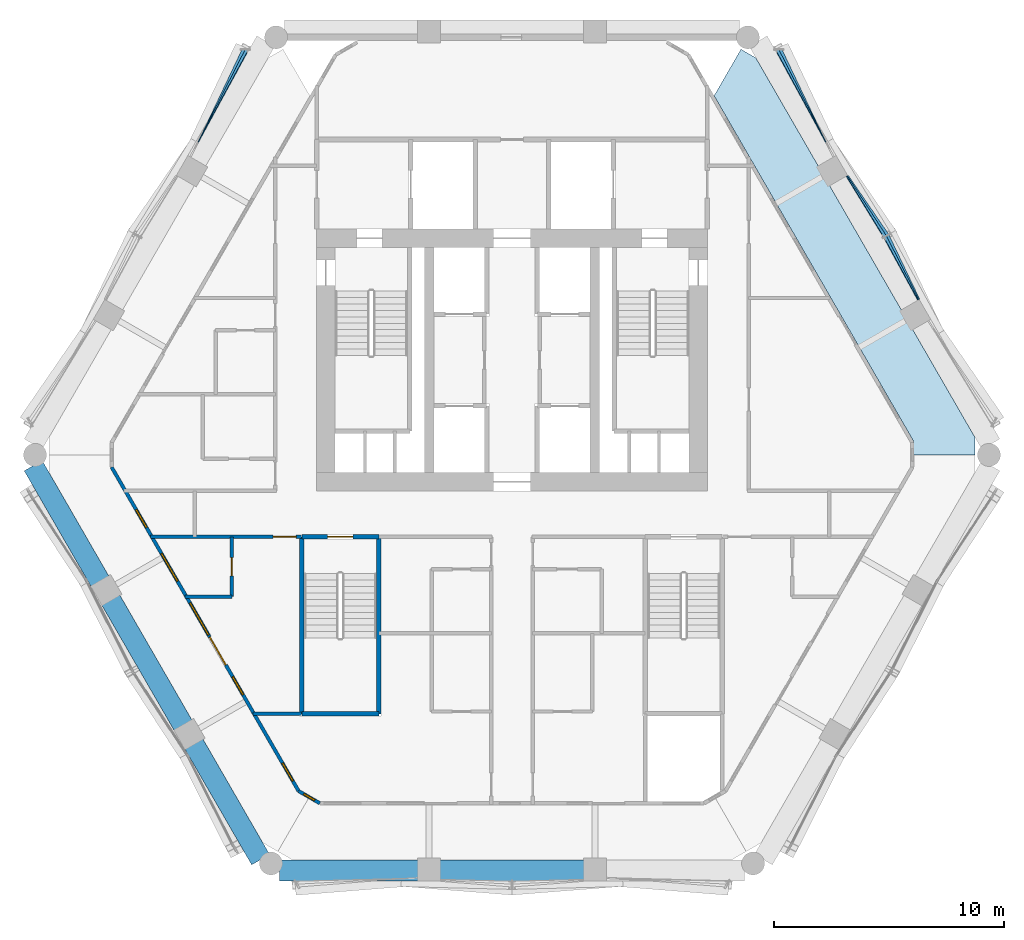
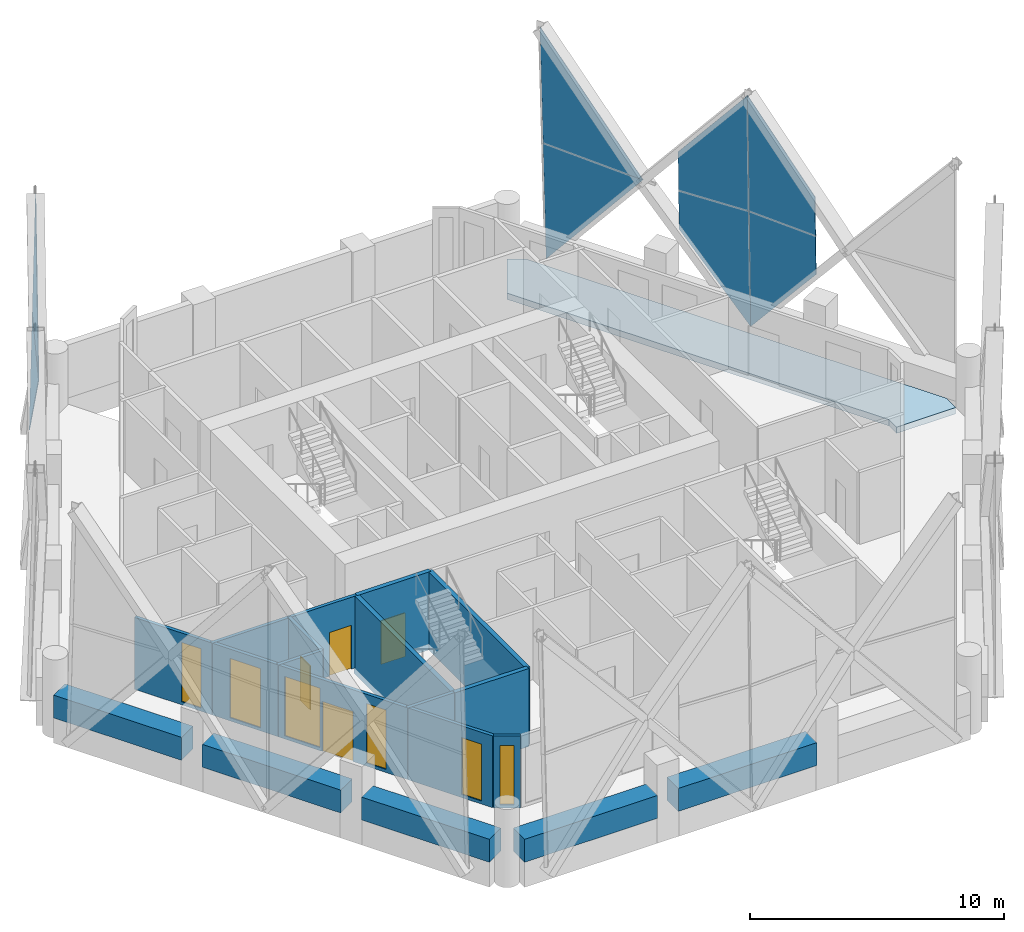
# One storey, part 9 of 19: 15 walls, 8 plates, 6 windows, 4 doors, 1 slab, 10 openings, 6 elements without a shape of their own.
"""IFC4 building model written with IfcOpenShell, lengths in metres."""

from ifc_helpers import new_model, si_unit, direction, frame, frame_2d, origin, place, context, subcontext, project, spatial, polyline, rectangle, outline, extrude, material, layer, layer_set, type_object, element, fill, aggregate, save


model = new_model("IFC4")

# Units and contexts
model_context = context("Model", 3, precision=1e-05, world=origin(), true_north=direction((0.0, 1.0)))
body_context = subcontext(model_context, "Body", "Model", "MODEL_VIEW")
ifc_project = project(units=[si_unit("LENGTHUNIT", "METRE"), si_unit("AREAUNIT", "SQUARE_METRE"), si_unit("VOLUMEUNIT", "CUBIC_METRE"), si_unit("PLANEANGLEUNIT", "RADIAN"), si_unit("MASSUNIT", "GRAM", prefix="KILO")], contexts=[model_context])

# Site, building, storey
site_placement = place(None, origin())
site = spatial("IfcSite", under=ifc_project, at=site_placement, CompositionType="ELEMENT")
building_placement = place(site_placement, origin())
building = spatial("IfcBuilding", under=site, at=building_placement, Name="Ostrander Bayou Hotel Tower", CompositionType="ELEMENT")
storey_placement = place(building_placement, frame((0.0, 0.0, 164.5)))
storey = spatial("IfcBuildingStorey", under=building, at=storey_placement, Name="L40", CompositionType="ELEMENT", Elevation=164.5)

# Curtain wall, plate
ifc_material_1 = material(Name="Aluminium and clear glass", Category="aluminium")
curtain_wall_type = type_object("IfcCurtainWallType", Name="CW-LAT lattice glazing", PredefinedType="NOTDEFINED", material=ifc_material_1)
curtain_wall_1_placement = place(storey_placement, origin())
curtain_wall_1 = element("IfcCurtainWall", 1, at=curtain_wall_1_placement, inside=storey, type_object=curtain_wall_type, Name="CW-LAT L40 NW 3", PredefinedType="NOTDEFINED")
ifc_material_2 = material(Name="Clear laminated glass", Category="glass")
ifc_layer_1 = layer(ifc_material_2, 0.028076171875)
ifc_layer_set_1 = layer_set([ifc_layer_1], Name="CW-LA glazing panel 28 mm")
plate_type = type_object("IfcPlateType", Name="CW-LA glazing panel 28 mm", PredefinedType="CURTAIN_PANEL", material=ifc_layer_set_1)
plate_1_placement = place(storey_placement, frame((-13.743408203125, 13.341552734375, 5.02490234375), z_axis=(-0.890581073407, 0.454269742686, 0.022457795297), x_axis=(0.273067304735, 0.573521791886, -0.772338657143)))
plate_1 = element("IfcPlate", 2, at=plate_1_placement, type_object=plate_type, Name="CW-LAT panel 1", PredefinedType="CURTAIN_PANEL", context=body_context, shape_type="SweptSolid", body=[
    extrude(outline(polyline([(0.0, 0.0), (7.283074526931495, 4.440892098500626e-16), (2.9774030043446946, -3.6224215578919154), (0.0, 0.0)])), origin(), (0.0, 0.0, -1.0), 0.028076171875),
])
aggregate(curtain_wall_1, [plate_1])

curtain_wall_2_placement = place(storey_placement, origin())
curtain_wall_2 = element("IfcCurtainWall", 3, at=curtain_wall_2_placement, inside=storey, type_object=curtain_wall_type, Name="CW-LAT L40 NW 4", PredefinedType="NOTDEFINED")
plate_2_placement = place(storey_placement, frame((-13.743408203125, 13.341552734375, 5.02490234375), z_axis=(-0.890581845835, 0.454270136688, 0.02241916105), x_axis=(0.308493582677, 0.567101827229, 0.763693149767)))
plate_2 = element("IfcPlate", 4, at=plate_2_placement, type_object=plate_type, Name="CW-LAT panel 2", PredefinedType="CURTAIN_PANEL", context=body_context, shape_type="SweptSolid", body=[
    extrude(outline(polyline([(0.0, 0.0), (7.365523707681007, -4.440892098500626e-16), (3.0260665669151905, 3.5818693060968902), (0.0, 0.0)])), origin(), (0.0, 0.0, -1.0), 0.028076171875),
])
aggregate(curtain_wall_2, [plate_2])

curtain_wall_3_placement = place(storey_placement, origin())
curtain_wall_3 = element("IfcCurtainWall", 5, at=curtain_wall_3_placement, inside=storey, type_object=curtain_wall_type, Name="CW-LAT L40 NE 1", PredefinedType="NOTDEFINED")
plate_3_placement = place(storey_placement, frame((17.747802734375, 6.65087890625, 3.140869140625), z_axis=(0.890613909652, 0.454238249989, 0.021782474167), x_axis=(-0.276203891499, 0.578355835303, -0.767604024281)))
plate_3 = element("IfcPlate", 6, at=plate_3_placement, type_object=plate_type, Name="CW-LAT panel 3", PredefinedType="CURTAIN_PANEL", context=body_context, shape_type="SweptSolid", body=[
    extrude(outline(polyline([(0.0, 0.0), (4.873560263757401, -4.440892098500626e-16), (0.5496795652002096, 3.5999603517784244), (-1.4462493261339737, 1.2081550912851868), (0.0, 0.0)])), origin(), (0.0, 0.0, -1.0), 0.028076171875),
])

curtain_wall_4_placement = place(storey_placement, origin())
curtain_wall_4 = element("IfcCurtainWall", 7, at=curtain_wall_4_placement, inside=storey, type_object=curtain_wall_type, Name="CW-LAT L40 NE 2", PredefinedType="NOTDEFINED")
plate_4_placement = place(storey_placement, frame((17.67431640625, 6.614013671875, 6.9150390625), z_axis=(0.89061192161, 0.454242232697, 0.02178070524), x_axis=(-0.305558183284, 0.562247196791, 0.768447972428)))
plate_4 = element("IfcPlate", 8, at=plate_4_placement, type_object=plate_type, Name="CW-LAT panel 4", PredefinedType="CURTAIN_PANEL", context=body_context, shape_type="SweptSolid", body=[
    extrude(outline(polyline([(0.0, 0.0), (4.860268648633587, 0.0), (0.539889546857311, -3.604166094813788), (-1.453092015594815, -1.2094771225736116), (0.0, 0.0)])), origin(), (0.0, 0.0, -1.0), 0.028076171875),
])

curtain_wall_5_placement = place(storey_placement, origin())
curtain_wall_5 = element("IfcCurtainWall", 9, at=curtain_wall_5_placement, inside=storey, type_object=curtain_wall_type, Name="CW-LAT L40 NE 3", PredefinedType="NOTDEFINED")
plate_5_placement = place(storey_placement, frame((14.6337890625, 12.044677734375, 3.140869140625), z_axis=(0.838706203708, 0.544148703108, 0.021773671431), x_axis=(0.362747177959, -0.528393744137, -0.767603111015)))
plate_5 = element("IfcPlate", 10, at=plate_5_placement, type_object=plate_type, Name="CW-LAT panel 5", PredefinedType="CURTAIN_PANEL", context=body_context, shape_type="SweptSolid", body=[
    extrude(outline(polyline([(0.0, 0.0), (4.873567382528961, 4.440892098500626e-16), (0.5496553047883483, -3.5999226632622934), (-1.446244545836942, -1.208158670764173), (0.0, 0.0)])), origin(), (0.0, 0.0, -1.0), 0.028076171875),
])
aggregate(curtain_wall_5, [plate_5])

curtain_wall_6_placement = place(storey_placement, origin())
curtain_wall_6 = element("IfcCurtainWall", 11, at=curtain_wall_6_placement, inside=storey, type_object=curtain_wall_type, Name="CW-LAT L40 NE 4", PredefinedType="NOTDEFINED")
plate_6_placement = place(storey_placement, frame((14.565185546875, 11.99951171875, 6.9150390625), z_axis=(0.838712031431, 0.544140368898, 0.021757464643), x_axis=(0.334157126185, -0.545779028489, 0.768416727486)))
plate_6 = element("IfcPlate", 12, at=plate_6_placement, type_object=plate_type, Name="CW-LAT panel 6", PredefinedType="CURTAIN_PANEL", context=body_context, shape_type="SweptSolid", body=[
    extrude(outline(polyline([(0.0, 0.0), (4.860470513680612, 4.440892098500626e-16), (0.5400360980131278, 3.604099784320524), (-1.453035166259682, 1.2095388296122298), (0.0, 0.0)])), origin(), (0.0, 0.0, -1.0), 0.028076171875),
])
aggregate(curtain_wall_6, [plate_6])

# Plate
plate_7_placement = place(storey_placement, frame((13.743408203125, 13.341552734375, 5.02490234375), z_axis=(0.890581073407, 0.454269742686, 0.022457795297), x_axis=(-0.273067304735, 0.573521791886, -0.772338657143)))
plate_7 = element("IfcPlate", 13, at=plate_7_placement, type_object=plate_type, Name="CW-LAT panel 7", PredefinedType="CURTAIN_PANEL", context=body_context, shape_type="SweptSolid", body=[
    extrude(outline(polyline([(0.0, 0.0), (7.283074526931495, -4.440892098500626e-16), (2.9774030043446946, 3.6224215578919154), (0.0, 0.0)])), origin(), (0.0, 0.0, -1.0), 0.028076171875),
])

aggregate(curtain_wall_3, [plate_3, plate_7])

plate_8_placement = place(storey_placement, frame((13.743408203125, 13.341552734375, 5.02490234375), z_axis=(0.890581845835, 0.454270136688, 0.02241916105), x_axis=(-0.308493582677, 0.567101827229, 0.763693149767)))
plate_8 = element("IfcPlate", 14, at=plate_8_placement, type_object=plate_type, Name="CW-LAT panel 8", PredefinedType="CURTAIN_PANEL", context=body_context, shape_type="SweptSolid", body=[
    extrude(outline(polyline([(0.0, 0.0), (7.365523707681007, 4.440892098500626e-16), (3.0260665669151905, -3.5818693060968902), (0.0, 0.0)])), origin(), (0.0, 0.0, -1.0), 0.028076171875),
])

aggregate(curtain_wall_4, [plate_4, plate_8])

# Slab
ifc_material_3 = material(Name="Concrete f'c 40 MPa", Category="concrete")
ifc_layer_2 = layer(ifc_material_3, 0.300048828125)
ifc_layer_set_2 = layer_set([ifc_layer_2], Name="SL4 loggia slab 300 mm f'c 40 MPa")
slab_type = type_object("IfcSlabType", Name="SL4 loggia slab 300 mm f'c 40 MPa", PredefinedType="FLOOR", material=ifc_layer_set_2)
slab_placement = place(storey_placement, frame((0.0, 0.0, -0.300048828125)))
element("IfcSlab", 15, at=slab_placement, inside=storey, type_object=slab_type, Name="SL4 LOGGIA L40 NE 1", PredefinedType="FLOOR", context=body_context, shape_type="SweptSolid", body=[
    extrude(outline(polyline([(9.966796875, 17.52490234375), (10.616455078125, 17.14990234375), (16.7119140625, 6.59228515625), (16.96240234375, 6.158203125), (17.4326171875, 5.34423828125), (20.160400390625, 0.619140625), (20.160400390625, -0.130859375), (17.475830078125, -0.130859375), (17.475830078125, 0.468994140625), (8.7978515625, 15.5), (9.966796875, 17.52490234375)])), origin(), (0.0, 0.0, 1.0), 0.300048828125),
])

# Wall, openings, door, windows
ifc_material_4 = material(Name="Aluminium framed insulated wall", Category="aluminium")
ifc_layer_3 = layer(ifc_material_4, 0.14990234375)
ifc_layer_set_3 = layer_set([ifc_layer_3], Name="GW1 glass-line wall 150 mm")
wall_type_1 = type_object("IfcWallType", Name="GW1 glass-line wall 150 mm", PredefinedType="SOLIDWALL", material=ifc_layer_set_3)
wall_1_placement = place(storey_placement, frame((-17.42822265625, -0.663330078125, 0.0), z_axis=(0.0, 0.0, 1.0), x_axis=(0.499985985267, -0.866033495043, 0.0)))
wall_1 = element("IfcWall", 16, at=wall_1_placement, inside=storey, type_object=wall_type_1, Name="GW1 L40 SW 1", PredefinedType="SOLIDWALL", context=body_context, shape_type="SweptSolid", body=[
    extrude(rectangle(XDim=16.279296875, YDim=0.14990234375, at=frame_2d((8.1396484375, 0.0))), origin(), (0.0, 0.0, 1.0), 3.449951171875),
])
opening_1_placement = place(wall_1_placement, frame((2.1396484375, 0.0, 0.14990234375)))
opening_1 = element("IfcOpeningElement", 17, at=opening_1_placement, cuts=wall_1, Name="Opening W17", PredefinedType="OPENING", context=body_context, shape_type="SweptSolid", body=[
    extrude(rectangle(XDim=0.89990234375, YDim=2.85009765625, at=frame_2d((0.449951171875, 1.425048828125))), frame((0.0, 0.074951171875, 0.0), z_axis=(0.0, -1.0, 0.0), x_axis=(1.0, 0.0, 0.0)), (0.0, 0.0, 1.0), 0.14990234375),
])
opening_2_placement = place(wall_1_placement, frame((4.339599609375, 0.0, 0.14990234375)))
opening_2 = element("IfcOpeningElement", 18, at=opening_2_placement, cuts=wall_1, Name="Opening W13", PredefinedType="OPENING", context=body_context, shape_type="SweptSolid", body=[
    extrude(rectangle(XDim=1.39990234375, YDim=2.85009765625, at=frame_2d((0.699951171875, 1.425048828125))), frame((0.0, 0.074951171875, 0.0), z_axis=(0.0, -1.0, 0.0), x_axis=(1.0, 0.0, 0.0)), (0.0, 0.0, 1.0), 0.14990234375),
])
opening_3_placement = place(wall_1_placement, frame((6.83251953125, 0.0, 0.14990234375)))
opening_3 = element("IfcOpeningElement", 19, at=opening_3_placement, cuts=wall_1, Name="Opening W3", PredefinedType="OPENING", context=body_context, shape_type="SweptSolid", body=[
    extrude(rectangle(XDim=1.60009765625, YDim=2.85009765625, at=frame_2d((0.800048828125, 1.425048828125))), frame((0.0, 0.074951171875, 0.0), z_axis=(0.0, -1.0, 0.0), x_axis=(1.0, 0.0, 0.0)), (0.0, 0.0, 1.0), 0.14990234375),
])
opening_4_placement = place(wall_1_placement, frame((8.53955078125, 0.0, 0.0)))
opening_4 = element("IfcOpeningElement", 20, at=opening_4_placement, cuts=wall_1, Name="Opening T38-801", PredefinedType="OPENING", context=body_context, shape_type="SweptSolid", body=[
    extrude(rectangle(XDim=1.39990234375, YDim=2.39990234375, at=frame_2d((0.699951171875, 1.199951171875))), frame((0.0, 0.074951171875, 0.0), z_axis=(0.0, -1.0, 0.0), x_axis=(1.0, 0.0, 0.0)), (0.0, 0.0, 1.0), 0.14990234375),
])
opening_5_placement = place(wall_1_placement, frame((10.53955078125, 0.0, 0.14990234375)))
opening_5 = element("IfcOpeningElement", 21, at=opening_5_placement, cuts=wall_1, Name="Opening W17", PredefinedType="OPENING", context=body_context, shape_type="SweptSolid", body=[
    extrude(rectangle(XDim=0.89990234375, YDim=2.85009765625, at=frame_2d((0.449951171875, 1.425048828125))), frame((0.0, 0.074951171875, 0.0), z_axis=(0.0, -1.0, 0.0), x_axis=(1.0, 0.0, 0.0)), (0.0, 0.0, 1.0), 0.14990234375),
])
opening_6_placement = place(wall_1_placement, frame((14.877197265625, 0.0, 0.14990234375)))
opening_6 = element("IfcOpeningElement", 22, at=opening_6_placement, cuts=wall_1, Name="Opening W17", PredefinedType="OPENING", context=body_context, shape_type="SweptSolid", body=[
    extrude(rectangle(XDim=0.89990234375, YDim=2.72998046875, at=frame_2d((0.449951171875, 1.364990234375))), frame((0.0, 0.074951171875, 0.0), z_axis=(0.0, -1.0, 0.0), x_axis=(1.0, 0.0, 0.0)), (0.0, 0.0, 1.0), 0.14990234375),
])
ifc_material_5 = material(Name="Aluminium and clear glass", Category="aluminium")
door_type_1 = type_object("IfcDoorType", Name="SD3 sliding glass door 1400 mm, zone 3", OperationType="SLIDING_TO_LEFT", PredefinedType="DOOR", material=ifc_material_5)
door_1_placement = place(opening_4_placement, origin())
door_1 = element("IfcDoor", 23, at=door_1_placement, inside=storey, type_object=door_type_1, Name="SD3 L40 SW 2", OperationType="SLIDING_TO_RIGHT", OverallHeight=2.39990234375, OverallWidth=1.39990234375, PredefinedType="DOOR", context=body_context, shape_type="SweptSolid", body=[
    extrude(rectangle(XDim=1.39990234375, YDim=2.39990234375, at=frame_2d((0.699951171875, 1.199951171875))), frame((0.0, 0.02490234375, 0.0), z_axis=(0.0, -1.0, 0.0), x_axis=(1.0, 0.0, 0.0)), (0.0, 0.0, 1.0), 0.050048828125),
])
fill(opening_4, door_1)
ifc_material_6 = material(Name="Aluminium and clear glass", Category="aluminium")
window_type_1 = type_object("IfcWindowType", Name="W13 fixed window 1400 mm, bath bay, zone 3", PartitioningType="SINGLE_PANEL", PredefinedType="WINDOW", material=ifc_material_6)
window_1_placement = place(opening_2_placement, origin())
window_1 = element("IfcWindow", 24, at=window_1_placement, inside=storey, type_object=window_type_1, Name="W13 L40 SW 1", OverallHeight=2.85009765625, OverallWidth=1.39990234375, PartitioningType="SINGLE_PANEL", PredefinedType="WINDOW", context=body_context, shape_type="SweptSolid", body=[
    extrude(rectangle(XDim=1.39990234375, YDim=2.85009765625, at=frame_2d((0.699951171875, 1.425048828125))), frame((0.0, 0.030029296875, 0.0), z_axis=(0.0, -1.0, 0.0), x_axis=(1.0, 0.0, 0.0)), (0.0, 0.0, 1.0), 0.06005859375),
])
fill(opening_2, window_1)
ifc_material_7 = material(Name="Aluminium and clear glass", Category="aluminium")
window_type_2 = type_object("IfcWindowType", Name="W17 window 900 mm, zone 3", PartitioningType="SINGLE_PANEL", PredefinedType="WINDOW", material=ifc_material_7)
window_2_placement = place(opening_1_placement, origin())
window_2 = element("IfcWindow", 25, at=window_2_placement, inside=storey, type_object=window_type_2, Name="W17 L40 SW 1", OverallHeight=2.85009765625, OverallWidth=0.89990234375, PartitioningType="SINGLE_PANEL", PredefinedType="WINDOW", context=body_context, shape_type="SweptSolid", body=[
    extrude(rectangle(XDim=0.89990234375, YDim=2.85009765625, at=frame_2d((0.449951171875, 1.425048828125))), frame((0.0, 0.030029296875, 0.0), z_axis=(0.0, -1.0, 0.0), x_axis=(1.0, 0.0, 0.0)), (0.0, 0.0, 1.0), 0.06005859375),
])
fill(opening_1, window_2)
window_3_placement = place(opening_5_placement, origin())
window_3 = element("IfcWindow", 26, at=window_3_placement, inside=storey, type_object=window_type_2, Name="W17 L40 SW 3", OverallHeight=2.85009765625, OverallWidth=0.89990234375, PartitioningType="SINGLE_PANEL", PredefinedType="WINDOW", context=body_context, shape_type="SweptSolid", body=[
    extrude(rectangle(XDim=0.89990234375, YDim=2.85009765625, at=frame_2d((0.449951171875, 1.425048828125))), frame((0.0, 0.030029296875, 0.0), z_axis=(0.0, -1.0, 0.0), x_axis=(1.0, 0.0, 0.0)), (0.0, 0.0, 1.0), 0.06005859375),
])
fill(opening_5, window_3)
window_4_placement = place(opening_6_placement, origin())
window_4 = element("IfcWindow", 27, at=window_4_placement, inside=storey, type_object=window_type_2, Name="W17 L40 SW E21", OverallHeight=2.72998046875, OverallWidth=0.89990234375, PartitioningType="SINGLE_PANEL", PredefinedType="WINDOW", context=body_context, shape_type="SweptSolid", body=[
    extrude(rectangle(XDim=0.89990234375, YDim=2.72998046875, at=frame_2d((0.449951171875, 1.364990234375))), frame((0.0, 0.030029296875, 0.0), z_axis=(0.0, -1.0, 0.0), x_axis=(1.0, 0.0, 0.0)), (0.0, 0.0, 1.0), 0.06005859375),
])
fill(opening_6, window_4)
ifc_material_8 = material(Name="Aluminium and clear glass", Category="aluminium")
window_type_3 = type_object("IfcWindowType", Name="W3 fixed window 1600 mm, zone 3", PartitioningType="SINGLE_PANEL", PredefinedType="WINDOW", material=ifc_material_8)
window_5_placement = place(opening_3_placement, origin())
window_5 = element("IfcWindow", 28, at=window_5_placement, inside=storey, type_object=window_type_3, Name="W3 L40 SW 2", OverallHeight=2.85009765625, OverallWidth=1.60009765625, PartitioningType="SINGLE_PANEL", PredefinedType="WINDOW", context=body_context, shape_type="SweptSolid", body=[
    extrude(rectangle(XDim=1.60009765625, YDim=2.85009765625, at=frame_2d((0.800048828125, 1.425048828125))), frame((0.0, 0.030029296875, 0.0), z_axis=(0.0, -1.0, 0.0), x_axis=(1.0, 0.0, 0.0)), (0.0, 0.0, 1.0), 0.06005859375),
])
fill(opening_3, window_5)

# Wall, opening, window
wall_2_placement = place(storey_placement, frame((-9.288818359375, -14.76171875, 0.0), z_axis=(0.0, 0.0, 1.0), x_axis=(0.866105447774, -0.499861334108, 0.0)))
wall_2 = element("IfcWall", 29, at=wall_2_placement, inside=storey, type_object=wall_type_1, Name="GW1 L40 corner 3", PredefinedType="SOLIDWALL", context=body_context, shape_type="SweptSolid", body=[
    extrude(rectangle(XDim=1.065185546875, YDim=0.14990234375, at=frame_2d((0.53271484375, 0.0))), origin(), (0.0, 0.0, 1.0), 3.449951171875),
])
opening_7_placement = place(wall_2_placement, frame((0.257568359375, 0.0, 0.14990234375)))
opening_7 = element("IfcOpeningElement", 30, at=opening_7_placement, cuts=wall_2, Name="Opening W19", PredefinedType="OPENING", context=body_context, shape_type="SweptSolid", body=[
    extrude(rectangle(XDim=0.550048828125, YDim=2.85009765625, at=frame_2d((0.27490234375, 1.425048828125))), frame((0.0, 0.074951171875, 0.0), z_axis=(0.0, -1.0, 0.0), x_axis=(1.0, 0.0, 0.0)), (0.0, 0.0, 1.0), 0.14990234375),
])
ifc_material_9 = material(Name="Aluminium and clear glass", Category="aluminium")
window_type_4 = type_object("IfcWindowType", Name="W19 corner window 550 mm", PartitioningType="SINGLE_PANEL", PredefinedType="WINDOW", material=ifc_material_9)
window_6_placement = place(opening_7_placement, origin())
window_6 = element("IfcWindow", 31, at=window_6_placement, inside=storey, type_object=window_type_4, Name="W19 L40 corner 3", OverallHeight=2.85009765625, OverallWidth=0.550048828125, PartitioningType="SINGLE_PANEL", PredefinedType="WINDOW", context=body_context, shape_type="SweptSolid", body=[
    extrude(rectangle(XDim=0.550048828125, YDim=2.85009765625, at=frame_2d((0.27490234375, 1.425048828125))), frame((0.0, 0.030029296875, 0.0), z_axis=(0.0, -1.0, 0.0), x_axis=(1.0, 0.0, 0.0)), (0.0, 0.0, 1.0), 0.06005859375),
])
fill(opening_7, window_6)

# Walls
ifc_material_10 = material(Name="Concrete f'c 40 MPa", Category="concrete")
ifc_layer_4 = layer(ifc_material_10, 0.89990234375)
ifc_layer_set_4 = layer_set([ifc_layer_4], Name="PA1 stone-faced parapet 900 mm")
wall_type_2 = type_object("IfcWallType", Name="PA1 stone-faced parapet 900 mm", PredefinedType="PARAPET", material=ifc_layer_set_4)
wall_3_placement = place(storey_placement, frame((-10.127685546875, -18.218994140625, 0.0), z_axis=(0.0, 0.0, 1.0), x_axis=(1.0, 0.0, 0.0)))
element("IfcWall", 32, at=wall_3_placement, inside=storey, type_object=wall_type_2, Name="PA1 L40 S-1", PredefinedType="PARAPET", context=body_context, shape_type="SweptSolid", body=[
    extrude(rectangle(XDim=6.03955078125, YDim=0.89990234375, at=frame_2d((3.019775390625, 0.0))), origin(), (0.0, 0.0, 1.0), 1.10009765625),
])
wall_4_placement = place(storey_placement, frame((-3.148193359375, -18.218994140625, 0.0), z_axis=(0.0, 0.0, 1.0), x_axis=(1.0, 0.0, 0.0)))
element("IfcWall", 33, at=wall_4_placement, inside=storey, type_object=wall_type_2, Name="PA1 L40 S-2", PredefinedType="PARAPET", context=body_context, shape_type="SweptSolid", body=[
    extrude(rectangle(XDim=6.29638671875, YDim=0.89990234375, at=frame_2d((3.148193359375, 0.0))), origin(), (0.0, 0.0, 1.0), 1.10009765625),
])
ifc_material_11 = material(Name="Limestone masonry", Category="masonry")
ifc_layer_5 = layer(ifc_material_11, 0.89990234375)
ifc_layer_set_5 = layer_set([ifc_layer_5], Name="PA2 limestone parapet 900 mm")
wall_type_3 = type_object("IfcWallType", Name="PA2 limestone parapet 900 mm", PredefinedType="PARAPET", material=ifc_layer_set_5)
wall_5_placement = place(storey_placement, frame((-20.842041015625, -0.6005859375, 0.0), z_axis=(0.0, 0.0, 1.0), x_axis=(0.500019366424, -0.866014222285, 0.0)))
element("IfcWall", 34, at=wall_5_placement, inside=storey, type_object=wall_type_3, Name="PA2 L40 SW-1", PredefinedType="PARAPET", context=body_context, shape_type="SweptSolid", body=[
    extrude(rectangle(XDim=5.812744140625, YDim=0.89990234375, at=frame_2d((2.90625, 0.0))), origin(), (0.0, 0.0, 1.0), 1.10009765625),
])
wall_6_placement = place(storey_placement, frame((-17.465576171875, -6.44873046875, 0.0), z_axis=(0.0, 0.0, 1.0), x_axis=(0.500013351051, -0.866017695414, 0.0)))
element("IfcWall", 35, at=wall_6_placement, inside=storey, type_object=wall_type_3, Name="PA2 L40 SW-2", PredefinedType="PARAPET", context=body_context, shape_type="SweptSolid", body=[
    extrude(rectangle(XDim=6.296142578125, YDim=0.89990234375, at=frame_2d((3.14794921875, 0.0))), origin(), (0.0, 0.0, 1.0), 1.10009765625),
])
wall_7_placement = place(storey_placement, frame((-13.847412109375, -12.71533203125, 0.0), z_axis=(0.0, 0.0, 1.0), x_axis=(0.499969679245, -0.866042908773, 0.0)))
element("IfcWall", 36, at=wall_7_placement, inside=storey, type_object=wall_type_3, Name="PA2 L40 SW-3", PredefinedType="PARAPET", context=body_context, shape_type="SweptSolid", body=[
    extrude(rectangle(XDim=5.812744140625, YDim=0.89990234375, at=frame_2d((2.90625, 0.0))), origin(), (0.0, 0.0, 1.0), 1.10009765625),
])
ifc_material_12 = material(Name="Gypsum board partition", Category="finish")
ifc_layer_6 = layer(ifc_material_12, 0.14990234375)
ifc_layer_set_6 = layer_set([ifc_layer_6], Name="PT8 service band wall 150 mm, 1 hour")
wall_type_4 = type_object("IfcWallType", Name="PT8 service band wall 150 mm, 1 hour", PredefinedType="PARTITIONING", material=ifc_layer_set_6)
wall_8_placement = place(storey_placement, frame((-11.281005859375, -11.39990234375, 0.0), z_axis=(0.0, 0.0, 1.0), x_axis=(1.0, 0.0, 0.0)))
element("IfcWall", 37, at=wall_8_placement, inside=storey, type_object=wall_type_4, Name="gw:L40:001", PredefinedType="PARTITIONING", context=body_context, shape_type="SweptSolid", body=[
    extrude(rectangle(XDim=2.12109375, YDim=0.14990234375, at=frame_2d((1.060546875, 0.0))), origin(), (0.0, 0.0, 1.0), 3.449951171875),
])
wall_9_placement = place(storey_placement, frame((-14.22607421875, -6.300048828125, 0.0), z_axis=(0.0, 0.0, 1.0), x_axis=(1.0, 0.0, 0.0)))
element("IfcWall", 38, at=wall_9_placement, inside=storey, type_object=wall_type_4, Name="gw:L40:006", PredefinedType="PARTITIONING", context=body_context, shape_type="SweptSolid", body=[
    extrude(rectangle(XDim=2.031005859375, YDim=0.14990234375, at=frame_2d((1.015625, 0.0))), origin(), (0.0, 0.0, 1.0), 3.449951171875),
])

# Wall, opening, door
wall_10_placement = place(storey_placement, frame((-15.72705078125, -3.699951171875, 0.0), z_axis=(0.0, 0.0, 1.0), x_axis=(1.0, 0.0, 0.0)))
wall_10 = element("IfcWall", 39, at=wall_10_placement, inside=storey, type_object=wall_type_4, Name="gw:L40:010", PredefinedType="PARTITIONING", context=body_context, shape_type="SweptSolid", body=[
    extrude(rectangle(XDim=6.567138671875, YDim=0.14990234375, at=frame_2d((3.28369140625, 0.0))), origin(), (0.0, 0.0, 1.0), 3.449951171875),
])
opening_8_placement = place(wall_10_placement, frame((5.326904296875, 0.0, 0.0)))
opening_8 = element("IfcOpeningElement", 40, at=opening_8_placement, cuts=wall_10, Name="Opening T38-400", PredefinedType="OPENING", context=body_context, shape_type="SweptSolid", body=[
    extrude(rectangle(XDim=1.0, YDim=2.10009765625, at=frame_2d((0.5, 1.050048828125))), frame((0.0, 0.074951171875, 0.0), z_axis=(0.0, -1.0, 0.0), x_axis=(1.0, 0.0, 0.0)), (0.0, 0.0, 1.0), 0.14990234375),
])
ifc_material_13 = material(Name="Timber door leaf", Category="wood")
door_type_2 = type_object("IfcDoorType", Name="D1 guest room door 1000 x 2100 mm, 30 minute", OperationType="SINGLE_SWING_LEFT", PredefinedType="DOOR", material=ifc_material_13)
door_2_placement = place(opening_8_placement, origin())
door_2 = element("IfcDoor", 41, at=door_2_placement, inside=storey, type_object=door_type_2, Name="dr:L40:400", OperationType="SINGLE_SWING_RIGHT", OverallHeight=2.10009765625, OverallWidth=1.0, PredefinedType="DOOR", context=body_context, shape_type="SweptSolid", body=[
    extrude(rectangle(XDim=1.0, YDim=2.10009765625, at=frame_2d((0.5, 1.050048828125))), frame((0.0, 0.02490234375, 0.0), z_axis=(0.0, -1.0, 0.0), x_axis=(1.0, 0.0, 0.0)), (0.0, 0.0, 1.0), 0.050048828125),
])
fill(opening_8, door_2)

wall_11_placement = place(storey_placement, frame((-12.195068359375, -6.300048828125, 0.0), z_axis=(0.0, 0.0, 1.0), x_axis=(0.0, 1.0, 0.0)))
wall_11 = element("IfcWall", 42, at=wall_11_placement, inside=storey, type_object=wall_type_4, Name="gw:L40:036", PredefinedType="PARTITIONING", context=body_context, shape_type="SweptSolid", body=[
    extrude(rectangle(XDim=2.60009765625, YDim=0.14990234375, at=frame_2d((1.300048828125, 0.0))), origin(), (0.0, 0.0, 1.0), 3.449951171875),
])
opening_9_placement = place(wall_11_placement, frame((0.89990234375, 0.0, 0.0)))
opening_9 = element("IfcOpeningElement", 43, at=opening_9_placement, cuts=wall_11, Name="Opening T38-401", PredefinedType="OPENING", context=body_context, shape_type="SweptSolid", body=[
    extrude(rectangle(XDim=0.800048828125, YDim=2.10009765625, at=frame_2d((0.39990234375, 1.050048828125))), frame((0.0, 0.074951171875, 0.0), z_axis=(0.0, -1.0, 0.0), x_axis=(1.0, 0.0, 0.0)), (0.0, 0.0, 1.0), 0.14990234375),
])
ifc_material_14 = material(Name="Timber door leaf", Category="wood")
door_type_3 = type_object("IfcDoorType", Name="D2 bathroom door 800 x 2100 mm", OperationType="SINGLE_SWING_LEFT", PredefinedType="DOOR", material=ifc_material_14)
door_3_placement = place(opening_9_placement, origin())
door_3 = element("IfcDoor", 44, at=door_3_placement, inside=storey, type_object=door_type_3, Name="dr:L40:401", OperationType="SINGLE_SWING_RIGHT", OverallHeight=2.10009765625, OverallWidth=0.800048828125, PredefinedType="DOOR", context=body_context, shape_type="SweptSolid", body=[
    extrude(rectangle(XDim=0.800048828125, YDim=2.10009765625, at=frame_2d((0.39990234375, 1.050048828125))), frame((0.0, 0.02490234375, 0.0), z_axis=(0.0, -1.0, 0.0), x_axis=(1.0, 0.0, 0.0)), (0.0, 0.0, 1.0), 0.050048828125),
])
fill(opening_9, door_3)

ifc_material_15 = material(Name="Concrete f'c 45 MPa", Category="concrete")
ifc_layer_7 = layer(ifc_material_15, 0.199951171875)
ifc_layer_set_7 = layer_set([ifc_layer_7], Name="SW5 stair enclosure wall 200 mm f'c 45 MPa")
wall_type_5 = type_object("IfcWallType", Name="SW5 stair enclosure wall 200 mm f'c 45 MPa", PredefinedType="SOLIDWALL", material=ifc_layer_set_7)
wall_12_placement = place(storey_placement, frame((-9.14990234375, -3.699951171875, -0.300048828125), z_axis=(0.0, 0.0, 1.0), x_axis=(1.0, 0.0, 0.0)))
wall_12 = element("IfcWall", 45, at=wall_12_placement, inside=storey, type_object=wall_type_5, Name="cs:L40:023", PredefinedType="SOLIDWALL", context=body_context, shape_type="SweptSolid", body=[
    extrude(rectangle(XDim=3.349853515625, YDim=0.199951171875, at=frame_2d((1.6748046875, 0.0))), origin(), (0.0, 0.0, 1.0), 3.75),
])
opening_10_placement = place(wall_12_placement, frame((1.125, 0.0, 0.0)))
opening_10 = element("IfcOpeningElement", 46, at=opening_10_placement, cuts=wall_12, Name="Opening T38-012", PredefinedType="OPENING", context=body_context, shape_type="SweptSolid", body=[
    extrude(rectangle(XDim=1.10009765625, YDim=2.10009765625, at=frame_2d((0.550048828125, 1.050048828125))), frame((0.0, 0.10009765625, 0.0), z_axis=(0.0, -1.0, 0.0), x_axis=(1.0, 0.0, 0.0)), (0.0, 0.0, 1.0), 0.199951171875),
])
ifc_material_16 = material(Name="Timber door leaf", Category="wood")
door_type_4 = type_object("IfcDoorType", Name="D5 stair door 1100 x 2100 mm, 90 minute", OperationType="SINGLE_SWING_LEFT", PredefinedType="DOOR", material=ifc_material_16)
door_4_placement = place(opening_10_placement, origin())
door_4 = element("IfcDoor", 47, at=door_4_placement, inside=storey, type_object=door_type_4, Name="dr:L40:012", OperationType="SINGLE_SWING_LEFT", OverallHeight=2.10009765625, OverallWidth=1.10009765625, PredefinedType="DOOR", context=body_context, shape_type="SweptSolid", body=[
    extrude(rectangle(XDim=1.10009765625, YDim=2.10009765625, at=frame_2d((0.550048828125, 1.050048828125))), frame((0.0, 0.02490234375, 0.0), z_axis=(0.0, -1.0, 0.0), x_axis=(1.0, 0.0, 0.0)), (0.0, 0.0, 1.0), 0.050048828125),
])
fill(opening_10, door_4)

# Walls
for number, where, z_axis, x_axis, name in (
    (48, (-9.14990234375, -3.699951171875, -0.300048828125), (0.0, 0.0, 1.0), (0.0, -1.0, 0.0), "cs:L40:024"),
    (49, (-5.800048828125, -3.699951171875, -0.300048828125), (0.0, 0.0, 1.0), (0.0, -1.0, 0.0), "cs:L40:025"),
):
    element("IfcWall", number, at=place(storey_placement, frame(where, z_axis=z_axis, x_axis=x_axis)), inside=storey, type_object=wall_type_5, Name=name, PredefinedType="SOLIDWALL", context=body_context, shape_type="SweptSolid", body=[
        extrude(rectangle(XDim=7.699951171875, YDim=0.199951171875, at=frame_2d((3.85009765625, 0.0))), origin(), (0.0, 0.0, 1.0), 3.75),
    ])
wall_13_placement = place(storey_placement, frame((-9.14990234375, -11.39990234375, -0.300048828125), z_axis=(0.0, 0.0, 1.0), x_axis=(1.0, 0.0, 0.0)))
element("IfcWall", 50, at=wall_13_placement, inside=storey, type_object=wall_type_5, Name="cs:L40:026", PredefinedType="SOLIDWALL", context=body_context, shape_type="SweptSolid", body=[
    extrude(rectangle(XDim=3.349853515625, YDim=0.199951171875, at=frame_2d((1.6748046875, 0.0))), origin(), (0.0, 0.0, 1.0), 3.75),
])

save(model, "model.ifc")
